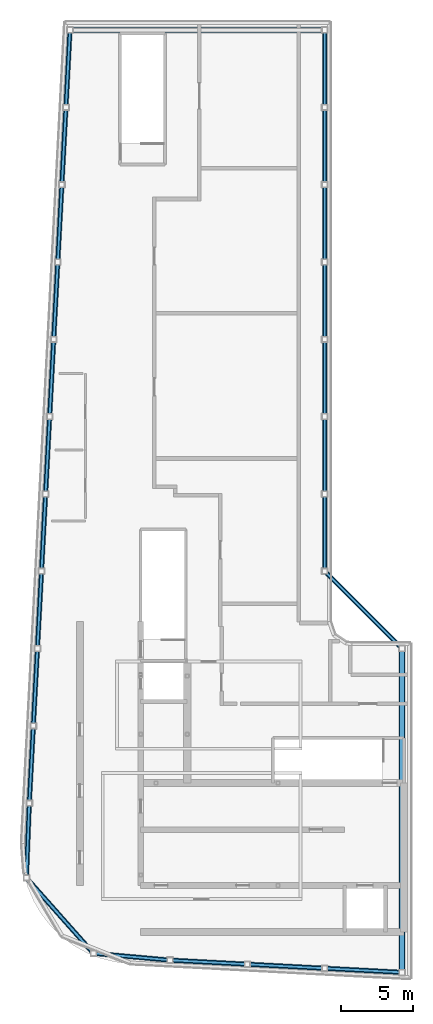
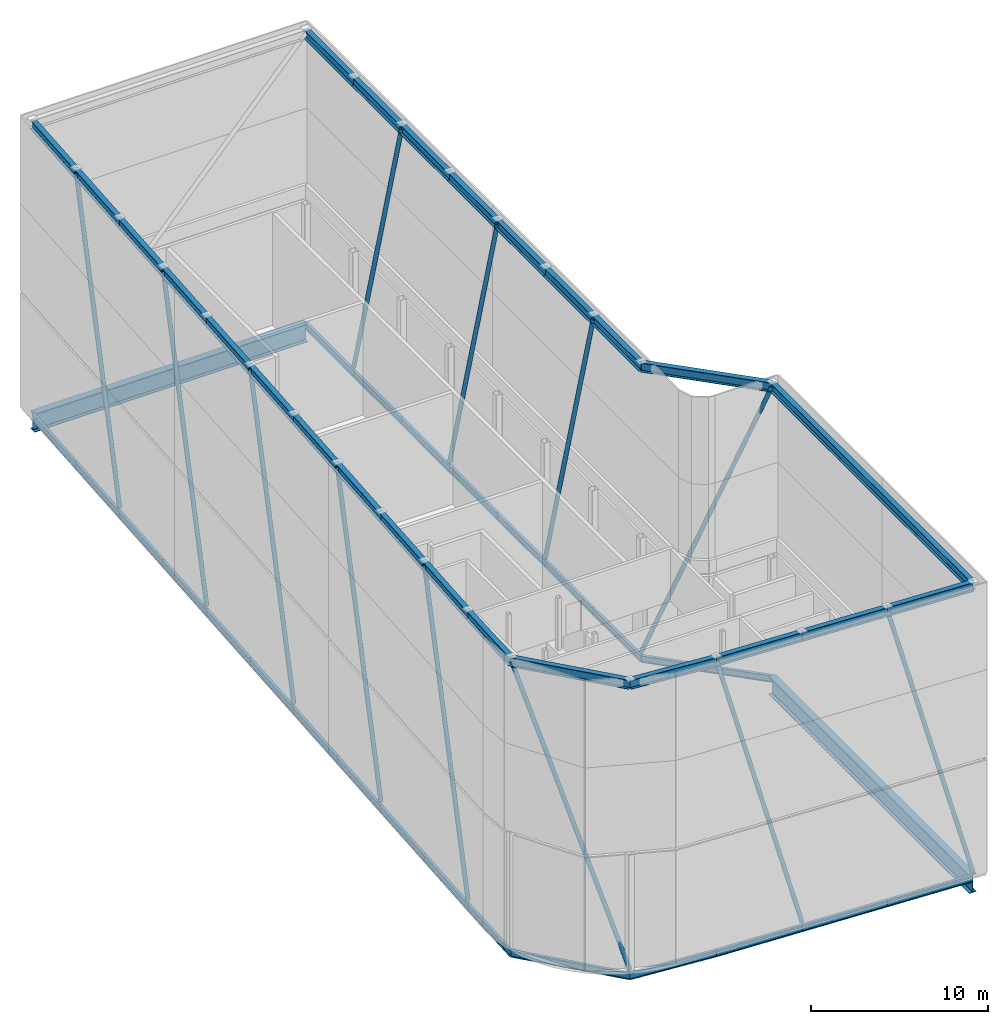
# One storey, part 3 of 7: 51 beams, 12 members.
"""IFC4 building model written with IfcOpenShell, lengths in metres."""

import ifcopenshell
import ifcopenshell.guid

model = None  # the IFC model being written
_history = None  # IfcOwnerHistory: only IFC2X3 demands one
_inside = {}  # id of a spatial element -> (the spatial element, [elements in it])
_under = {}  # id of a project, library or spatial element -> (it, [spatial elements below it])
_declared = {}  # id of a project -> (the project, [libraries it declares])
_typed = {}  # id of a type object -> (the type object, [elements of that type])
_made_of = {}  # id of a material, layer set ... -> (it, [elements and type objects made of it])


def new_model(schema):
    """Start an empty IFC model of exactly this schema.

    Asked for "IFC4X3", IfcOpenShell would pick the latest addendum, in which some entities
    have other attributes; the version numbers below select the first issue.
    IFC2X3 requires an IfcOwnerHistory on every rooted entity: one is made here for all.
    """
    global model, _history
    if schema == "IFC4X3":
        model = ifcopenshell.file(schema_version=(4, 3, 0, 0))
    else:
        model = ifcopenshell.file(schema=schema)
    _inside.clear()
    _under.clear()
    _declared.clear()
    _typed.clear()
    _made_of.clear()
    _history = None
    if model.schema == "IFC2X3":
        org = make("IfcOrganization", Name="unknown")
        user = make(
            "IfcPersonAndOrganization",
            ThePerson=make("IfcPerson", FamilyName="unknown"),
            TheOrganization=org,
        )
        app = make(
            "IfcApplication",
            ApplicationDeveloper=org,
            Version="unknown",
            ApplicationFullName="unknown",
            ApplicationIdentifier="unknown",
        )
        _history = make(
            "IfcOwnerHistory",
            OwningUser=user,
            OwningApplication=app,
            ChangeAction="ADDED",
            CreationDate=0,
        )
    return model


def make(cls, **values):
    """One entity of the class cls with the attributes given. An attribute that is None is left unset."""
    return model.create_entity(
        cls, **{name: value for name, value in values.items() if value is not None}
    )


def rooted(cls, **values):
    """An entity with a GlobalId (a new one), such as an element, a storey or a relation."""
    return make(cls, GlobalId=ifcopenshell.guid.new(), OwnerHistory=_history, **values)


def si_unit(unit_type, name, prefix=None):
    """IfcSIUnit, for example si_unit("LENGTHUNIT", "METRE", prefix="MILLI")."""
    return make("IfcSIUnit", UnitType=unit_type, Prefix=prefix, Name=name)


def assignment(units):
    """IfcUnitAssignment: the units of a project."""
    return None if units is None else make("IfcUnitAssignment", Units=units)


def point(xyz):
    """IfcCartesianPoint."""
    return None if xyz is None else make("IfcCartesianPoint", Coordinates=xyz)


def direction(xyz):
    """IfcDirection."""
    return None if xyz is None else make("IfcDirection", DirectionRatios=xyz)


def frame(location, z_axis=None, x_axis=None):
    """IfcAxis2Placement3D, a coordinate frame: its origin and axes. An axis left out is left unset."""
    return make(
        "IfcAxis2Placement3D",
        Location=point(location),
        Axis=direction(z_axis),
        RefDirection=direction(x_axis),
    )


def frame_2d(location, x_axis=None):
    """IfcAxis2Placement2D, a coordinate frame in the plane: its origin and x axis."""
    return make(
        "IfcAxis2Placement2D", Location=point(location), RefDirection=direction(x_axis)
    )


def origin():
    """The frame at (0, 0, 0) with its axes left unset."""
    return frame((0.0, 0.0, 0.0))


def origin_2d():
    """The frame at (0, 0) in the plane with its x axis left unset."""
    return frame_2d((0.0, 0.0))


def place(relative_to, where):
    """IfcLocalPlacement: puts the frame where relative to a parent placement (None: the world)."""
    return make(
        "IfcLocalPlacement", PlacementRelTo=relative_to, RelativePlacement=where
    )


def context(
    kind, dimensions, precision=None, world=None, true_north=None, identifier=None
):
    """IfcGeometricRepresentationContext, for example the 3D "Model" context."""
    return make(
        "IfcGeometricRepresentationContext",
        ContextIdentifier=identifier,
        ContextType=kind,
        CoordinateSpaceDimension=dimensions,
        Precision=precision,
        WorldCoordinateSystem=world,
        TrueNorth=true_north,
    )


def subcontext(parent, identifier, kind, view, scale=None):
    """IfcGeometricRepresentationSubContext, for example "Body" below "Model"."""
    return make(
        "IfcGeometricRepresentationSubContext",
        ContextIdentifier=identifier,
        ContextType=kind,
        ParentContext=parent,
        TargetScale=scale,
        TargetView=view,
    )


def project(units=None, contexts=None):
    """IfcProject with its units and contexts."""
    return rooted(
        "IfcProject",
        Name="project",
        RepresentationContexts=contexts,
        UnitsInContext=assignment(units),
    )


def spatial(cls, under=None, at=None, **own):
    """A site, building, storey or space (cls), placed at a placement, below another one or the project."""
    s = rooted(cls, ObjectPlacement=at, **own)
    if under is not None:
        _under.setdefault(under.id(), (under, []))[1].append(s)
    return s


def profile(cls, at=None, kind="AREA", **sizes):
    """A parametric profile (cls). Its sizes go by their IFC names, for example OverallWidth=200.0."""
    return make(cls, ProfileType=kind, Position=at, **sizes)


def hollow_circle(**sizes):
    """IfcCircleHollowProfileDef."""
    return profile("IfcCircleHollowProfileDef", **sizes)


def i_section(**sizes):
    """IfcIShapeProfileDef."""
    return profile("IfcIShapeProfileDef", **sizes)


def extrude(swept, where, along, depth):
    """IfcExtrudedAreaSolid: the profile swept, set in the frame where, extruded along a direction by depth."""
    return make(
        "IfcExtrudedAreaSolid",
        SweptArea=swept,
        Position=where,
        ExtrudedDirection=direction(along),
        Depth=depth,
    )


def shape(context_of_items, identifier, shape_type, items):
    """IfcShapeRepresentation: the items that make up one representation, for example the "Body"."""
    return make(
        "IfcShapeRepresentation",
        ContextOfItems=context_of_items,
        RepresentationIdentifier=identifier,
        RepresentationType=shape_type,
        Items=items,
    )


def material(Name=None, Category=None):
    """IfcMaterial."""
    return make("IfcMaterial", Name=Name, Category=Category)


def material_profile(
    of_material, cross_section, Name=None, Category=None, Priority=None
):
    """IfcMaterialProfile: a cross section and its material."""
    return make(
        "IfcMaterialProfile",
        Name=Name,
        Material=of_material,
        Profile=cross_section,
        Priority=Priority,
        Category=Category,
    )


def profile_set(profiles, Name=None, composite=None):
    """IfcMaterialProfileSet."""
    return make(
        "IfcMaterialProfileSet",
        Name=Name,
        MaterialProfiles=profiles,
        CompositeProfile=composite,
    )


def made_of(thing, what):
    """Note that an element or type object is made of a material, layer set ...; save() writes the relation."""
    if what is not None:
        _made_of.setdefault(what.id(), (what, []))[1].append(thing)
    return thing


def type_object(cls, material=None, **own):
    """A type object (cls), such as IfcWallType, which elements share."""
    return made_of(rooted(cls, **own), material)


def element(
    cls,
    number,
    at=None,
    inside=None,
    cuts=None,
    type_object=None,
    material=None,
    context=None,
    identifier="Body",
    shape_type=None,
    held_by="IfcProductDefinitionShape",
    body=None,
    shapes=None,
    **own,
):
    """One element of the class cls, such as IfcWall. Its Tag is "e" and its number.

    at: its placement. inside: the storey or other place that contains it. cuts: it is an
    opening in that element (IfcRelVoidsElement). A single representation is given by context,
    identifier, shape_type and body (its items); several are given by shapes. held_by: the class
    of the entity that holds the representations. save() writes the other relations.
    """
    e = rooted(cls, Tag="e%d" % number, ObjectPlacement=at, **own)
    if body is not None:
        shapes = [shape(context, identifier, shape_type, body)]
    if shapes is not None:
        e.Representation = make(held_by, Representations=shapes)
    if inside is not None:
        _inside.setdefault(inside.id(), (inside, []))[1].append(e)
    if cuts is not None:
        rooted(
            "IfcRelVoidsElement", RelatingBuildingElement=cuts, RelatedOpeningElement=e
        )
    if type_object is not None:
        _typed.setdefault(type_object.id(), (type_object, []))[1].append(e)
    return made_of(e, material)


def aggregate(whole, parts):
    """IfcRelAggregates: a whole, such as a stair, and the parts it consists of."""
    return rooted("IfcRelAggregates", RelatingObject=whole, RelatedObjects=parts)


def save(model, path):
    """Write the relations noted so far, then the file.

    IfcRelAggregates (storeys below a building ...), IfcRelContainedInSpatialStructure (elements
    in a storey), IfcRelDefinesByType, IfcRelAssociatesMaterial and IfcRelDeclares: one each for
    every whole, place, type object, material and project.
    """
    for whole, parts in _under.values():
        aggregate(whole, parts)
    for where, things in _inside.values():
        rooted(
            "IfcRelContainedInSpatialStructure",
            RelatedElements=things,
            RelatingStructure=where,
        )
    for kind, things in _typed.values():
        rooted("IfcRelDefinesByType", RelatedObjects=things, RelatingType=kind)
    for what, things in _made_of.values():
        rooted("IfcRelAssociatesMaterial", RelatedObjects=things, RelatingMaterial=what)
    for by, libraries in _declared.values():
        rooted("IfcRelDeclares", RelatingContext=by, RelatedDefinitions=libraries)
    model.write(path)


model = new_model("IFC4")

# Units and contexts
model_context = context("Model", 3, precision=1e-05, world=origin(), true_north=direction((0.0, 1.0)))
body_context = subcontext(model_context, "Body", "Model", "MODEL_VIEW")
ifc_project = project(units=[si_unit("LENGTHUNIT", "METRE"), si_unit("AREAUNIT", "SQUARE_METRE"), si_unit("VOLUMEUNIT", "CUBIC_METRE"), si_unit("PLANEANGLEUNIT", "RADIAN"), si_unit("MASSUNIT", "GRAM", prefix="KILO")], contexts=[model_context])

# Site, building, storey
site_placement = place(None, origin())
site = spatial("IfcSite", under=ifc_project, at=site_placement, CompositionType="ELEMENT")
building_placement = place(site_placement, origin())
building = spatial("IfcBuilding", under=site, at=building_placement, Name="Kheshtan School and Residences Tower", CompositionType="ELEMENT")
storey_placement = place(building_placement, frame((0.0, 0.0, 404.800048828125)))
storey = spatial("IfcBuildingStorey", under=building, at=storey_placement, Name="L94", CompositionType="ELEMENT", Elevation=404.800048828125)

# Beams
ifc_material_1 = material(Name="Steel ASTM A992 Grade 50", Category="steel")
ifc_material_profile_1 = material_profile(ifc_material_1, i_section(OverallWidth=0.3291015625, OverallDepth=0.635009765625, WebThickness=0.017822265625, FlangeThickness=0.031005859375, FilletRadius=0.01904296875, at=origin_2d()), Name="W610x241")
ifc_profile_set_1 = profile_set([ifc_material_profile_1], Name="Steel ASTM A992 Grade 50")
beam_type_1 = type_object("IfcBeamType", Name="Beam CF3 W610x241 ASTM A992 Grade 50", PredefinedType="BEAM", material=ifc_profile_set_1)
beam_1_placement = place(storey_placement, frame((53.0, 45.60009765625, 19.682373046875), z_axis=(0.0, -1.0, 0.0), x_axis=(1.0, 0.0, 0.0)))
element("IfcBeam", 1, at=beam_1_placement, inside=storey, type_object=beam_type_1, Name="Crown frame ring beam 1", PredefinedType="BEAM", context=body_context, shape_type="SweptSolid", body=[
    extrude(i_section(OverallWidth=0.3291015625, OverallDepth=0.635009765625, WebThickness=0.017822265625, FlangeThickness=0.031005859375, FilletRadius=0.01904296875, at=origin_2d()), origin(), (0.0, 0.0, 1.0), 22.6201171875),
])
beam_2_placement = place(storey_placement, frame((53.0, 22.97998046875, 19.682373046875), z_axis=(-0.998620447272, 0.05250906864, 0.0), x_axis=(-0.05250906864, -0.998620447272, 0.0)))
element("IfcBeam", 2, at=beam_2_placement, inside=storey, type_object=beam_type_1, Name="Crown frame ring beam 2", PredefinedType="BEAM", context=body_context, shape_type="SweptSolid", body=[
    extrude(i_section(OverallWidth=0.3291015625, OverallDepth=0.635009765625, WebThickness=0.017822265625, FlangeThickness=0.031005859375, FilletRadius=0.01904296875, at=origin_2d()), origin(), (0.0, 0.0, 1.0), 5.407470703125),
])
beam_3_placement = place(storey_placement, frame((47.60009765625, 23.263916015625, 19.682373046875), z_axis=(-0.998618203458, 0.052551724256, 0.0), x_axis=(-0.052551724256, -0.998618203458, 0.0)))
element("IfcBeam", 3, at=beam_3_placement, inside=storey, type_object=beam_type_1, Name="Crown frame ring beam 3", PredefinedType="BEAM", context=body_context, shape_type="SweptSolid", body=[
    extrude(i_section(OverallWidth=0.3291015625, OverallDepth=0.635009765625, WebThickness=0.017822265625, FlangeThickness=0.031005859375, FilletRadius=0.01904296875, at=origin_2d()), origin(), (0.0, 0.0, 1.0), 5.40771484375),
])
beam_4_placement = place(storey_placement, frame((42.199951171875, 23.548095703125, 19.682373046875), z_axis=(-0.998620447272, 0.05250906864, 0.0), x_axis=(-0.05250906864, -0.998620447272, 0.0)))
element("IfcBeam", 4, at=beam_4_placement, inside=storey, type_object=beam_type_1, Name="Crown frame ring beam 4", PredefinedType="BEAM", context=body_context, shape_type="SweptSolid", body=[
    extrude(i_section(OverallWidth=0.3291015625, OverallDepth=0.635009765625, WebThickness=0.017822265625, FlangeThickness=0.031005859375, FilletRadius=0.01904296875, at=origin_2d()), origin(), (0.0, 0.0, 1.0), 5.407470703125),
])
beam_5_placement = place(storey_placement, frame((36.800048828125, 23.83203125, 19.682373046875), z_axis=(-0.996036411806, 0.088946424077, 0.0), x_axis=(-0.088946424077, -0.996036411806, 0.0)))
element("IfcBeam", 5, at=beam_5_placement, inside=storey, type_object=beam_type_1, Name="Crown frame ring beam 5", PredefinedType="BEAM", context=body_context, shape_type="SweptSolid", body=[
    extrude(i_section(OverallWidth=0.3291015625, OverallDepth=0.635009765625, WebThickness=0.017822265625, FlangeThickness=0.031005859375, FilletRadius=0.01904296875, at=origin_2d()), origin(), (0.0, 0.0, 1.0), 5.374267578125),
])
beam_6_placement = place(storey_placement, frame((31.447021484375, 24.31005859375, 19.682373046875), z_axis=(-0.663867136248, 0.747850536812, 0.0), x_axis=(-0.747850536812, -0.663867136248, 0.0)))
element("IfcBeam", 6, at=beam_6_placement, inside=storey, type_object=beam_type_1, Name="Crown frame ring beam 6", PredefinedType="BEAM", context=body_context, shape_type="SweptSolid", body=[
    extrude(i_section(OverallWidth=0.3291015625, OverallDepth=0.635009765625, WebThickness=0.017822265625, FlangeThickness=0.031005859375, FilletRadius=0.01904296875, at=origin_2d()), origin(), (0.0, 0.0, 1.0), 7.049560546875),
])
beam_7_placement = place(storey_placement, frame((26.76708984375, 29.58203125, 19.682373046875), z_axis=(0.038664745323, 0.999252239161, 0.0), x_axis=(-0.999252239161, 0.038664745323, 0.0)))
element("IfcBeam", 7, at=beam_7_placement, inside=storey, type_object=beam_type_1, Name="Crown frame ring beam 7", PredefinedType="BEAM", context=body_context, shape_type="SweptSolid", body=[
    extrude(i_section(OverallWidth=0.3291015625, OverallDepth=0.635009765625, WebThickness=0.017822265625, FlangeThickness=0.031005859375, FilletRadius=0.01904296875, at=origin_2d()), origin(), (0.0, 0.0, 1.0), 5.221923828125),
])
beam_8_placement = place(storey_placement, frame((26.968994140625, 34.800048828125, 19.682373046875), z_axis=(0.05250906864, 0.998620447272, 0.0), x_axis=(-0.998620447272, 0.05250906864, 0.0)))
element("IfcBeam", 8, at=beam_8_placement, inside=storey, type_object=beam_type_1, Name="Crown frame ring beam 8", PredefinedType="BEAM", context=body_context, shape_type="SweptSolid", body=[
    extrude(i_section(OverallWidth=0.3291015625, OverallDepth=0.635009765625, WebThickness=0.017822265625, FlangeThickness=0.031005859375, FilletRadius=0.01904296875, at=origin_2d()), origin(), (0.0, 0.0, 1.0), 5.407470703125),
])
beam_9_placement = place(storey_placement, frame((27.2529296875, 40.199951171875, 19.682373046875), z_axis=(0.052551724256, 0.998618203458, 0.0), x_axis=(-0.998618203458, 0.052551724256, 0.0)))
element("IfcBeam", 9, at=beam_9_placement, inside=storey, type_object=beam_type_1, Name="Crown frame ring beam 9", PredefinedType="BEAM", context=body_context, shape_type="SweptSolid", body=[
    extrude(i_section(OverallWidth=0.3291015625, OverallDepth=0.635009765625, WebThickness=0.017822265625, FlangeThickness=0.031005859375, FilletRadius=0.01904296875, at=origin_2d()), origin(), (0.0, 0.0, 1.0), 5.40771484375),
])
for number, where, z_axis, x_axis, name in (
    (10, (27.537109375, 45.60009765625, 19.682373046875), (0.052689166816, 0.998610961136, 0.0), (-0.998610961136, 0.052689166816, 0.0), "Crown frame ring beam 10"),
    (11, (27.822021484375, 51.0, 19.682373046875), (0.05250906864, 0.998620447272, 0.0), (-0.998620447272, 0.05250906864, 0.0), "Crown frame ring beam 11"),
):
    element("IfcBeam", number, at=place(storey_placement, frame(where, z_axis=z_axis, x_axis=x_axis)), inside=storey, type_object=beam_type_1, Name=name, PredefinedType="BEAM", context=body_context, shape_type="SweptSolid", body=[
        extrude(i_section(OverallWidth=0.3291015625, OverallDepth=0.635009765625, WebThickness=0.017822265625, FlangeThickness=0.031005859375, FilletRadius=0.01904296875, at=origin_2d()), origin(), (0.0, 0.0, 1.0), 5.407470703125),
    ])
beam_10_placement = place(storey_placement, frame((28.10595703125, 56.39990234375, 19.682373046875), z_axis=(0.05250670125, 0.998620571751, 0.0), x_axis=(-0.998620571751, 0.05250670125, 0.0)))
element("IfcBeam", 12, at=beam_10_placement, inside=storey, type_object=beam_type_1, Name="Crown frame ring beam 12", PredefinedType="BEAM", context=body_context, shape_type="SweptSolid", body=[
    extrude(i_section(OverallWidth=0.3291015625, OverallDepth=0.635009765625, WebThickness=0.017822265625, FlangeThickness=0.031005859375, FilletRadius=0.01904296875, at=origin_2d()), origin(), (0.0, 0.0, 1.0), 5.40771484375),
])
beam_11_placement = place(storey_placement, frame((28.389892578125, 61.800048828125, 19.682373046875), z_axis=(0.052554093665, 0.998618078766, 0.0), x_axis=(-0.998618078766, 0.052554093665, 0.0)))
element("IfcBeam", 13, at=beam_11_placement, inside=storey, type_object=beam_type_1, Name="Crown frame ring beam 13", PredefinedType="BEAM", context=body_context, shape_type="SweptSolid", body=[
    extrude(i_section(OverallWidth=0.3291015625, OverallDepth=0.635009765625, WebThickness=0.017822265625, FlangeThickness=0.031005859375, FilletRadius=0.01904296875, at=origin_2d()), origin(), (0.0, 0.0, 1.0), 5.407470703125),
])
beam_12_placement = place(storey_placement, frame((28.674072265625, 67.199951171875, 19.682373046875), z_axis=(0.05250670125, 0.998620571751, 0.0), x_axis=(-0.998620571751, 0.05250670125, 0.0)))
element("IfcBeam", 14, at=beam_12_placement, inside=storey, type_object=beam_type_1, Name="Crown frame ring beam 14", PredefinedType="BEAM", context=body_context, shape_type="SweptSolid", body=[
    extrude(i_section(OverallWidth=0.3291015625, OverallDepth=0.635009765625, WebThickness=0.017822265625, FlangeThickness=0.031005859375, FilletRadius=0.01904296875, at=origin_2d()), origin(), (0.0, 0.0, 1.0), 5.40771484375),
])
for number, where, z_axis, x_axis, name in (
    (15, (28.9580078125, 72.60009765625, 19.682373046875), (0.052689166816, 0.998610961136, 0.0), (-0.998610961136, 0.052689166816, 0.0), "Crown frame ring beam 15"),
    (16, (29.242919921875, 78.0, 19.682373046875), (0.052554093665, 0.998618078766, 0.0), (-0.998618078766, 0.052554093665, 0.0), "Crown frame ring beam 16"),
):
    element("IfcBeam", number, at=place(storey_placement, frame(where, z_axis=z_axis, x_axis=x_axis)), inside=storey, type_object=beam_type_1, Name=name, PredefinedType="BEAM", context=body_context, shape_type="SweptSolid", body=[
        extrude(i_section(OverallWidth=0.3291015625, OverallDepth=0.635009765625, WebThickness=0.017822265625, FlangeThickness=0.031005859375, FilletRadius=0.01904296875, at=origin_2d()), origin(), (0.0, 0.0, 1.0), 5.407470703125),
    ])
beam_13_placement = place(storey_placement, frame((29.527099609375, 83.39990234375, 19.682373046875), z_axis=(0.05250670125, 0.998620571751, 0.0), x_axis=(-0.998620571751, 0.05250670125, 0.0)))
element("IfcBeam", 17, at=beam_13_placement, inside=storey, type_object=beam_type_1, Name="Crown frame ring beam 17", PredefinedType="BEAM", context=body_context, shape_type="SweptSolid", body=[
    extrude(i_section(OverallWidth=0.3291015625, OverallDepth=0.635009765625, WebThickness=0.017822265625, FlangeThickness=0.031005859375, FilletRadius=0.01904296875, at=origin_2d()), origin(), (0.0, 0.0, 1.0), 5.40771484375),
])
beam_14_placement = place(storey_placement, frame((47.60009765625, 88.800048828125, 19.682373046875), z_axis=(0.0, -1.0, 0.0), x_axis=(1.0, 0.0, 0.0)))
element("IfcBeam", 18, at=beam_14_placement, inside=storey, type_object=beam_type_1, Name="Crown frame ring beam 19", PredefinedType="BEAM", context=body_context, shape_type="SweptSolid", body=[
    extrude(i_section(OverallWidth=0.3291015625, OverallDepth=0.635009765625, WebThickness=0.017822265625, FlangeThickness=0.031005859375, FilletRadius=0.01904296875, at=origin_2d()), origin(), (0.0, 0.0, 1.0), 5.400146484375),
])
for number, where, z_axis, x_axis, name in (
    (19, (47.60009765625, 83.39990234375, 19.682373046875), (0.0, -1.0, 0.0), (1.0, 0.0, 0.0), "Crown frame ring beam 20"),
    (20, (47.60009765625, 78.0, 19.682373046875), (0.0, -1.0, 0.0), (1.0, 0.0, 0.0), "Crown frame ring beam 21"),
):
    element("IfcBeam", number, at=place(storey_placement, frame(where, z_axis=z_axis, x_axis=x_axis)), inside=storey, type_object=beam_type_1, Name=name, PredefinedType="BEAM", context=body_context, shape_type="SweptSolid", body=[
        extrude(i_section(OverallWidth=0.3291015625, OverallDepth=0.635009765625, WebThickness=0.017822265625, FlangeThickness=0.031005859375, FilletRadius=0.01904296875, at=origin_2d()), origin(), (0.0, 0.0, 1.0), 5.39990234375),
    ])
beam_15_placement = place(storey_placement, frame((47.60009765625, 72.60009765625, 19.682373046875), z_axis=(0.0, -1.0, 0.0), x_axis=(1.0, 0.0, 0.0)))
element("IfcBeam", 21, at=beam_15_placement, inside=storey, type_object=beam_type_1, Name="Crown frame ring beam 22", PredefinedType="BEAM", context=body_context, shape_type="SweptSolid", body=[
    extrude(i_section(OverallWidth=0.3291015625, OverallDepth=0.635009765625, WebThickness=0.017822265625, FlangeThickness=0.031005859375, FilletRadius=0.01904296875, at=origin_2d()), origin(), (0.0, 0.0, 1.0), 5.400146484375),
])
beam_16_placement = place(storey_placement, frame((47.60009765625, 67.199951171875, 19.682373046875), z_axis=(0.0, -1.0, 0.0), x_axis=(1.0, 0.0, 0.0)))
element("IfcBeam", 22, at=beam_16_placement, inside=storey, type_object=beam_type_1, Name="Crown frame ring beam 23", PredefinedType="BEAM", context=body_context, shape_type="SweptSolid", body=[
    extrude(i_section(OverallWidth=0.3291015625, OverallDepth=0.635009765625, WebThickness=0.017822265625, FlangeThickness=0.031005859375, FilletRadius=0.01904296875, at=origin_2d()), origin(), (0.0, 0.0, 1.0), 5.39990234375),
])
beam_17_placement = place(storey_placement, frame((47.60009765625, 61.800048828125, 19.682373046875), z_axis=(0.0, -1.0, 0.0), x_axis=(1.0, 0.0, 0.0)))
element("IfcBeam", 23, at=beam_17_placement, inside=storey, type_object=beam_type_1, Name="Crown frame ring beam 24", PredefinedType="BEAM", context=body_context, shape_type="SweptSolid", body=[
    extrude(i_section(OverallWidth=0.3291015625, OverallDepth=0.635009765625, WebThickness=0.017822265625, FlangeThickness=0.031005859375, FilletRadius=0.01904296875, at=origin_2d()), origin(), (0.0, 0.0, 1.0), 5.400146484375),
])
beam_18_placement = place(storey_placement, frame((47.60009765625, 56.39990234375, 19.682373046875), z_axis=(0.0, -1.0, 0.0), x_axis=(1.0, 0.0, 0.0)))
element("IfcBeam", 24, at=beam_18_placement, inside=storey, type_object=beam_type_1, Name="Crown frame ring beam 25", PredefinedType="BEAM", context=body_context, shape_type="SweptSolid", body=[
    extrude(i_section(OverallWidth=0.3291015625, OverallDepth=0.635009765625, WebThickness=0.017822265625, FlangeThickness=0.031005859375, FilletRadius=0.01904296875, at=origin_2d()), origin(), (0.0, 0.0, 1.0), 5.39990234375),
])
beam_19_placement = place(storey_placement, frame((47.60009765625, 51.0, 19.682373046875), z_axis=(0.707106781187, -0.707106781187, 0.0), x_axis=(0.707106781187, 0.707106781187, 0.0)))
element("IfcBeam", 25, at=beam_19_placement, inside=storey, type_object=beam_type_1, Name="Crown frame ring beam 26", PredefinedType="BEAM", context=body_context, shape_type="SweptSolid", body=[
    extrude(i_section(OverallWidth=0.3291015625, OverallDepth=0.635009765625, WebThickness=0.017822265625, FlangeThickness=0.031005859375, FilletRadius=0.01904296875, at=origin_2d()), origin(), (0.0, 0.0, 1.0), 7.63671875),
])
ifc_material_profile_2 = material_profile(ifc_material_1, i_section(OverallWidth=0.18994140625, OverallDepth=0.45703125, WebThickness=0.009033203125, FlangeThickness=0.014404296875, FilletRadius=0.01318359375, at=origin_2d()), Name="W460x74")
ifc_profile_set_2 = profile_set([ifc_material_profile_2], Name="Steel ASTM A992 Grade 50")
beam_type_2 = type_object("IfcBeamType", Name="Beam SP4 W460x74 ASTM A992 Grade 50", PredefinedType="BEAM", material=ifc_profile_set_2)
beam_20_placement = place(storey_placement, frame((53.0, 22.97998046875, -0.428466796875), z_axis=(-0.998620447272, 0.05250906864, 0.0), x_axis=(-0.05250906864, -0.998620447272, 0.0)))
element("IfcBeam", 26, at=beam_20_placement, inside=storey, type_object=beam_type_2, Name="Spandrel beam C019-C020", PredefinedType="BEAM", context=body_context, shape_type="SweptSolid", body=[
    extrude(i_section(OverallWidth=0.18994140625, OverallDepth=0.45703125, WebThickness=0.009033203125, FlangeThickness=0.014404296875, FilletRadius=0.01318359375, at=origin_2d()), origin(), (0.0, 0.0, 1.0), 5.407470703125),
])
beam_21_placement = place(storey_placement, frame((47.60009765625, 23.263916015625, -0.428466796875), z_axis=(-0.998618203458, 0.052551724256, 0.0), x_axis=(-0.052551724256, -0.998618203458, 0.0)))
element("IfcBeam", 27, at=beam_21_placement, inside=storey, type_object=beam_type_2, Name="Spandrel beam C020-C021", PredefinedType="BEAM", context=body_context, shape_type="SweptSolid", body=[
    extrude(i_section(OverallWidth=0.18994140625, OverallDepth=0.45703125, WebThickness=0.009033203125, FlangeThickness=0.014404296875, FilletRadius=0.01318359375, at=origin_2d()), origin(), (0.0, 0.0, 1.0), 5.40771484375),
])
beam_22_placement = place(storey_placement, frame((42.199951171875, 23.548095703125, -0.428466796875), z_axis=(-0.998620447272, 0.05250906864, 0.0), x_axis=(-0.05250906864, -0.998620447272, 0.0)))
element("IfcBeam", 28, at=beam_22_placement, inside=storey, type_object=beam_type_2, Name="Spandrel beam C021-C022", PredefinedType="BEAM", context=body_context, shape_type="SweptSolid", body=[
    extrude(i_section(OverallWidth=0.18994140625, OverallDepth=0.45703125, WebThickness=0.009033203125, FlangeThickness=0.014404296875, FilletRadius=0.01318359375, at=origin_2d()), origin(), (0.0, 0.0, 1.0), 5.407470703125),
])
beam_23_placement = place(storey_placement, frame((36.800048828125, 23.83203125, -0.428466796875), z_axis=(-0.996036411806, 0.088946424077, 0.0), x_axis=(-0.088946424077, -0.996036411806, 0.0)))
element("IfcBeam", 29, at=beam_23_placement, inside=storey, type_object=beam_type_2, Name="Spandrel beam C022-C034", PredefinedType="BEAM", context=body_context, shape_type="SweptSolid", body=[
    extrude(i_section(OverallWidth=0.18994140625, OverallDepth=0.45703125, WebThickness=0.009033203125, FlangeThickness=0.014404296875, FilletRadius=0.01318359375, at=origin_2d()), origin(), (0.0, 0.0, 1.0), 5.374267578125),
])
beam_24_placement = place(storey_placement, frame((31.447021484375, 24.31005859375, -0.428466796875), z_axis=(-0.663867136248, 0.747850536812, 0.0), x_axis=(-0.747850536812, -0.663867136248, 0.0)))
element("IfcBeam", 30, at=beam_24_placement, inside=storey, type_object=beam_type_2, Name="Spandrel beam C034-C048", PredefinedType="BEAM", context=body_context, shape_type="SweptSolid", body=[
    extrude(i_section(OverallWidth=0.18994140625, OverallDepth=0.45703125, WebThickness=0.009033203125, FlangeThickness=0.014404296875, FilletRadius=0.01318359375, at=origin_2d()), origin(), (0.0, 0.0, 1.0), 7.049560546875),
])
beam_25_placement = place(storey_placement, frame((26.76708984375, 29.58203125, -0.428466796875), z_axis=(0.038664745323, 0.999252239161, 0.0), x_axis=(-0.999252239161, 0.038664745323, 0.0)))
element("IfcBeam", 31, at=beam_25_placement, inside=storey, type_object=beam_type_2, Name="Spandrel beam C048-C052", PredefinedType="BEAM", context=body_context, shape_type="SweptSolid", body=[
    extrude(i_section(OverallWidth=0.18994140625, OverallDepth=0.45703125, WebThickness=0.009033203125, FlangeThickness=0.014404296875, FilletRadius=0.01318359375, at=origin_2d()), origin(), (0.0, 0.0, 1.0), 5.221923828125),
])
beam_26_placement = place(storey_placement, frame((26.968994140625, 34.800048828125, -0.428466796875), z_axis=(0.05250906864, 0.998620447272, 0.0), x_axis=(-0.998620447272, 0.05250906864, 0.0)))
element("IfcBeam", 32, at=beam_26_placement, inside=storey, type_object=beam_type_2, Name="Spandrel beam C052-C056", PredefinedType="BEAM", context=body_context, shape_type="SweptSolid", body=[
    extrude(i_section(OverallWidth=0.18994140625, OverallDepth=0.45703125, WebThickness=0.009033203125, FlangeThickness=0.014404296875, FilletRadius=0.01318359375, at=origin_2d()), origin(), (0.0, 0.0, 1.0), 5.407470703125),
])
beam_27_placement = place(storey_placement, frame((27.2529296875, 40.199951171875, -0.428466796875), z_axis=(0.052551724256, 0.998618203458, 0.0), x_axis=(-0.998618203458, 0.052551724256, 0.0)))
element("IfcBeam", 33, at=beam_27_placement, inside=storey, type_object=beam_type_2, Name="Spandrel beam C056-C059", PredefinedType="BEAM", context=body_context, shape_type="SweptSolid", body=[
    extrude(i_section(OverallWidth=0.18994140625, OverallDepth=0.45703125, WebThickness=0.009033203125, FlangeThickness=0.014404296875, FilletRadius=0.01318359375, at=origin_2d()), origin(), (0.0, 0.0, 1.0), 5.40771484375),
])
for number, where, z_axis, x_axis, name in (
    (34, (27.537109375, 45.60009765625, -0.428466796875), (0.052689166816, 0.998610961136, 0.0), (-0.998610961136, 0.052689166816, 0.0), "Spandrel beam C059-C078"),
    (35, (27.822021484375, 51.0, -0.428466796875), (0.05250906864, 0.998620447272, 0.0), (-0.998620447272, 0.05250906864, 0.0), "Spandrel beam C078-C080"),
):
    element("IfcBeam", number, at=place(storey_placement, frame(where, z_axis=z_axis, x_axis=x_axis)), inside=storey, type_object=beam_type_2, Name=name, PredefinedType="BEAM", context=body_context, shape_type="SweptSolid", body=[
        extrude(i_section(OverallWidth=0.18994140625, OverallDepth=0.45703125, WebThickness=0.009033203125, FlangeThickness=0.014404296875, FilletRadius=0.01318359375, at=origin_2d()), origin(), (0.0, 0.0, 1.0), 5.407470703125),
    ])
beam_28_placement = place(storey_placement, frame((28.10595703125, 56.39990234375, -0.428466796875), z_axis=(0.05250670125, 0.998620571751, 0.0), x_axis=(-0.998620571751, 0.05250670125, 0.0)))
element("IfcBeam", 36, at=beam_28_placement, inside=storey, type_object=beam_type_2, Name="Spandrel beam C080-C082", PredefinedType="BEAM", context=body_context, shape_type="SweptSolid", body=[
    extrude(i_section(OverallWidth=0.18994140625, OverallDepth=0.45703125, WebThickness=0.009033203125, FlangeThickness=0.014404296875, FilletRadius=0.01318359375, at=origin_2d()), origin(), (0.0, 0.0, 1.0), 5.40771484375),
])
beam_29_placement = place(storey_placement, frame((28.389892578125, 61.800048828125, -0.428466796875), z_axis=(0.052554093665, 0.998618078766, 0.0), x_axis=(-0.998618078766, 0.052554093665, 0.0)))
element("IfcBeam", 37, at=beam_29_placement, inside=storey, type_object=beam_type_2, Name="Spandrel beam C082-C084", PredefinedType="BEAM", context=body_context, shape_type="SweptSolid", body=[
    extrude(i_section(OverallWidth=0.18994140625, OverallDepth=0.45703125, WebThickness=0.009033203125, FlangeThickness=0.014404296875, FilletRadius=0.01318359375, at=origin_2d()), origin(), (0.0, 0.0, 1.0), 5.407470703125),
])
beam_30_placement = place(storey_placement, frame((28.674072265625, 67.199951171875, -0.428466796875), z_axis=(0.05250670125, 0.998620571751, 0.0), x_axis=(-0.998620571751, 0.05250670125, 0.0)))
element("IfcBeam", 38, at=beam_30_placement, inside=storey, type_object=beam_type_2, Name="Spandrel beam C084-C086", PredefinedType="BEAM", context=body_context, shape_type="SweptSolid", body=[
    extrude(i_section(OverallWidth=0.18994140625, OverallDepth=0.45703125, WebThickness=0.009033203125, FlangeThickness=0.014404296875, FilletRadius=0.01318359375, at=origin_2d()), origin(), (0.0, 0.0, 1.0), 5.40771484375),
])
for number, where, z_axis, x_axis, name in (
    (39, (28.9580078125, 72.60009765625, -0.428466796875), (0.052689166816, 0.998610961136, 0.0), (-0.998610961136, 0.052689166816, 0.0), "Spandrel beam C086-C088"),
    (40, (29.242919921875, 78.0, -0.428466796875), (0.052554093665, 0.998618078766, 0.0), (-0.998618078766, 0.052554093665, 0.0), "Spandrel beam C088-C090"),
):
    element("IfcBeam", number, at=place(storey_placement, frame(where, z_axis=z_axis, x_axis=x_axis)), inside=storey, type_object=beam_type_2, Name=name, PredefinedType="BEAM", context=body_context, shape_type="SweptSolid", body=[
        extrude(i_section(OverallWidth=0.18994140625, OverallDepth=0.45703125, WebThickness=0.009033203125, FlangeThickness=0.014404296875, FilletRadius=0.01318359375, at=origin_2d()), origin(), (0.0, 0.0, 1.0), 5.407470703125),
    ])
beam_31_placement = place(storey_placement, frame((29.527099609375, 83.39990234375, -0.428466796875), z_axis=(0.05250670125, 0.998620571751, 0.0), x_axis=(-0.998620571751, 0.05250670125, 0.0)))
element("IfcBeam", 41, at=beam_31_placement, inside=storey, type_object=beam_type_2, Name="Spandrel beam C090-C098", PredefinedType="BEAM", context=body_context, shape_type="SweptSolid", body=[
    extrude(i_section(OverallWidth=0.18994140625, OverallDepth=0.45703125, WebThickness=0.009033203125, FlangeThickness=0.014404296875, FilletRadius=0.01318359375, at=origin_2d()), origin(), (0.0, 0.0, 1.0), 5.40771484375),
])
beam_32_placement = place(storey_placement, frame((47.60009765625, 88.800048828125, -0.428466796875), z_axis=(0.0, -1.0, 0.0), x_axis=(1.0, 0.0, 0.0)))
element("IfcBeam", 42, at=beam_32_placement, inside=storey, type_object=beam_type_2, Name="Spandrel beam C099-C091", PredefinedType="BEAM", context=body_context, shape_type="SweptSolid", body=[
    extrude(i_section(OverallWidth=0.18994140625, OverallDepth=0.45703125, WebThickness=0.009033203125, FlangeThickness=0.014404296875, FilletRadius=0.01318359375, at=origin_2d()), origin(), (0.0, 0.0, 1.0), 5.400146484375),
])
for number, where, z_axis, x_axis, name in (
    (43, (47.60009765625, 83.39990234375, -0.428466796875), (0.0, -1.0, 0.0), (1.0, 0.0, 0.0), "Spandrel beam C091-C089"),
    (44, (47.60009765625, 78.0, -0.428466796875), (0.0, -1.0, 0.0), (1.0, 0.0, 0.0), "Spandrel beam C089-C087"),
):
    element("IfcBeam", number, at=place(storey_placement, frame(where, z_axis=z_axis, x_axis=x_axis)), inside=storey, type_object=beam_type_2, Name=name, PredefinedType="BEAM", context=body_context, shape_type="SweptSolid", body=[
        extrude(i_section(OverallWidth=0.18994140625, OverallDepth=0.45703125, WebThickness=0.009033203125, FlangeThickness=0.014404296875, FilletRadius=0.01318359375, at=origin_2d()), origin(), (0.0, 0.0, 1.0), 5.39990234375),
    ])
beam_33_placement = place(storey_placement, frame((47.60009765625, 72.60009765625, -0.428466796875), z_axis=(0.0, -1.0, 0.0), x_axis=(1.0, 0.0, 0.0)))
element("IfcBeam", 45, at=beam_33_placement, inside=storey, type_object=beam_type_2, Name="Spandrel beam C087-C085", PredefinedType="BEAM", context=body_context, shape_type="SweptSolid", body=[
    extrude(i_section(OverallWidth=0.18994140625, OverallDepth=0.45703125, WebThickness=0.009033203125, FlangeThickness=0.014404296875, FilletRadius=0.01318359375, at=origin_2d()), origin(), (0.0, 0.0, 1.0), 5.400146484375),
])
beam_34_placement = place(storey_placement, frame((47.60009765625, 67.199951171875, -0.428466796875), z_axis=(0.0, -1.0, 0.0), x_axis=(1.0, 0.0, 0.0)))
element("IfcBeam", 46, at=beam_34_placement, inside=storey, type_object=beam_type_2, Name="Spandrel beam C085-C083", PredefinedType="BEAM", context=body_context, shape_type="SweptSolid", body=[
    extrude(i_section(OverallWidth=0.18994140625, OverallDepth=0.45703125, WebThickness=0.009033203125, FlangeThickness=0.014404296875, FilletRadius=0.01318359375, at=origin_2d()), origin(), (0.0, 0.0, 1.0), 5.39990234375),
])
beam_35_placement = place(storey_placement, frame((47.60009765625, 61.800048828125, -0.428466796875), z_axis=(0.0, -1.0, 0.0), x_axis=(1.0, 0.0, 0.0)))
element("IfcBeam", 47, at=beam_35_placement, inside=storey, type_object=beam_type_2, Name="Spandrel beam C083-C081", PredefinedType="BEAM", context=body_context, shape_type="SweptSolid", body=[
    extrude(i_section(OverallWidth=0.18994140625, OverallDepth=0.45703125, WebThickness=0.009033203125, FlangeThickness=0.014404296875, FilletRadius=0.01318359375, at=origin_2d()), origin(), (0.0, 0.0, 1.0), 5.400146484375),
])
beam_36_placement = place(storey_placement, frame((47.60009765625, 56.39990234375, -0.428466796875), z_axis=(0.0, -1.0, 0.0), x_axis=(1.0, 0.0, 0.0)))
element("IfcBeam", 48, at=beam_36_placement, inside=storey, type_object=beam_type_2, Name="Spandrel beam C081-C079", PredefinedType="BEAM", context=body_context, shape_type="SweptSolid", body=[
    extrude(i_section(OverallWidth=0.18994140625, OverallDepth=0.45703125, WebThickness=0.009033203125, FlangeThickness=0.014404296875, FilletRadius=0.01318359375, at=origin_2d()), origin(), (0.0, 0.0, 1.0), 5.39990234375),
])
beam_37_placement = place(storey_placement, frame((47.60009765625, 51.0, -0.428466796875), z_axis=(0.707106781187, -0.707106781187, 0.0), x_axis=(0.707106781187, 0.707106781187, 0.0)))
element("IfcBeam", 49, at=beam_37_placement, inside=storey, type_object=beam_type_2, Name="Spandrel beam C079-C061", PredefinedType="BEAM", context=body_context, shape_type="SweptSolid", body=[
    extrude(i_section(OverallWidth=0.18994140625, OverallDepth=0.45703125, WebThickness=0.009033203125, FlangeThickness=0.014404296875, FilletRadius=0.01318359375, at=origin_2d()), origin(), (0.0, 0.0, 1.0), 7.63671875),
])

# Members
ifc_material_2 = material(Name="Steel ASTM A500 Grade C", Category="steel")
ifc_material_profile_3 = material_profile(ifc_material_2, hollow_circle(Radius=0.136474609375, WallThickness=0.0126953125, at=origin_2d()), Name="HSS 273x12.7")
ifc_profile_set_3 = profile_set([ifc_material_profile_3], Name="Steel ASTM A500 Grade C")
member_type = type_object("IfcMemberType", Name="Member CF2 HSS 273x12.7 ASTM A500 Grade C", PredefinedType="BRACE", material=ifc_profile_set_3)
for number, where, z_axis, x_axis, name in (
    (50, (53.0, 22.97998046875, 0.0), (-0.264550042586, 0.013910466567, 0.964271628685), (-0.05250906864, -0.998620447272, 0.0), "Crown frame brace 2"),
    (51, (42.199951171875, 23.548095703125, 0.0), (-0.264550042586, 0.013910466567, 0.964271628685), (-0.05250906864, -0.998620447272, 0.0), "Crown frame brace 4"),
):
    element("IfcMember", number, at=place(storey_placement, frame(where, z_axis=z_axis, x_axis=x_axis)), inside=storey, type_object=member_type, Name=name, PredefinedType="BRACE", context=body_context, shape_type="SweptSolid", body=[
        extrude(hollow_circle(Radius=0.136474609375, WallThickness=0.0126953125, at=origin_2d()), origin(), (0.0, 0.0, 1.0), 20.41162109375),
    ])
member_1_placement = place(storey_placement, frame((31.447021484375, 24.31005859375, 0.0), z_axis=(-0.223848117211, 0.252166322868, 0.94143728736), x_axis=(-0.747850536812, -0.663867136248, 0.0)))
element("IfcMember", 52, at=member_1_placement, inside=storey, type_object=member_type, Name="Crown frame brace 6", PredefinedType="BRACE", context=body_context, shape_type="SweptSolid", body=[
    extrude(hollow_circle(Radius=0.136474609375, WallThickness=0.0126953125, at=origin_2d()), origin(), (0.0, 0.0, 1.0), 20.90673828125),
])
for number, where, z_axis, x_axis, name in (
    (53, (26.968994140625, 34.800048828125, 0.0), (0.013910466567, 0.264550042586, 0.964271628685), (-0.998620447272, 0.05250906864, 0.0), "Crown frame brace 8"),
    (54, (27.537109375, 45.60009765625, 0.0), (0.013958300655, 0.264549866219, 0.964270985837), (-0.998610961136, 0.052689166816, 0.0), "Crown frame brace 10"),
    (55, (28.10595703125, 56.39990234375, 0.0), (0.01391042255, 0.264561166281, 0.964268577441), (-0.998620571751, 0.05250670125, 0.0), "Crown frame brace 12"),
    (56, (28.674072265625, 67.199951171875, 0.0), (0.01391042255, 0.264561166281, 0.964268577441), (-0.998620571751, 0.05250670125, 0.0), "Crown frame brace 14"),
    (57, (29.242919921875, 78.0, 0.0), (0.013922425098, 0.264549998551, 0.96427146818), (-0.998618078766, 0.052554093665, 0.0), "Crown frame brace 16"),
):
    element("IfcMember", number, at=place(storey_placement, frame(where, z_axis=z_axis, x_axis=x_axis)), inside=storey, type_object=member_type, Name=name, PredefinedType="BRACE", context=body_context, shape_type="SweptSolid", body=[
        extrude(hollow_circle(Radius=0.136474609375, WallThickness=0.0126953125, at=origin_2d()), origin(), (0.0, 0.0, 1.0), 20.41162109375),
    ])
for number, where, z_axis, x_axis, name in (
    (58, (47.60009765625, 83.39990234375, 0.0), (0.0, -0.264575641661, 0.964364936028), (1.0, 0.0, 0.0), "Crown frame brace 20"),
    (59, (47.60009765625, 72.60009765625, 0.0), (0.0, -0.26458676627, 0.964361883898), (1.0, 0.0, 0.0), "Crown frame brace 22"),
    (60, (47.60009765625, 61.800048828125, 0.0), (0.0, -0.26458676627, 0.964361883898), (1.0, 0.0, 0.0), "Crown frame brace 24"),
):
    element("IfcMember", number, at=place(storey_placement, frame(where, z_axis=z_axis, x_axis=x_axis)), inside=storey, type_object=member_type, Name=name, PredefinedType="BRACE", context=body_context, shape_type="SweptSolid", body=[
        extrude(hollow_circle(Radius=0.136474609375, WallThickness=0.0126953125, at=origin_2d()), origin(), (0.0, 0.0, 1.0), 20.40966796875),
    ])
member_2_placement = place(storey_placement, frame((47.60009765625, 51.0, 0.0), z_axis=(0.255774894616, -0.255774894616, 0.932286654719), x_axis=(0.707106781187, 0.707106781187, 0.0)))
element("IfcMember", 61, at=member_2_placement, inside=storey, type_object=member_type, Name="Crown frame brace 26", PredefinedType="BRACE", context=body_context, shape_type="SweptSolid", body=[
    extrude(hollow_circle(Radius=0.136474609375, WallThickness=0.0126953125, at=origin_2d()), origin(), (0.0, 0.0, 1.0), 21.11181640625),
])

# Beams
ifc_material_profile_4 = material_profile(ifc_material_1, i_section(OverallWidth=0.449951171875, OverallDepth=1.25, WebThickness=0.02490234375, FlangeThickness=0.044921875, FilletRadius=0.03759765625, at=origin_2d()), Name="WWF1250x546")
ifc_profile_set_4 = profile_set([ifc_material_profile_4], Name="Steel ASTM A992 Grade 50")
beam_type_3 = type_object("IfcBeamType", Name="Transfer girder TG4 WWF1250x546 ASTM A992 Grade 50", PredefinedType="BEAM", material=ifc_profile_set_4)
beam_38_placement = place(storey_placement, frame((53.0, 45.60009765625, -0.824951171875), z_axis=(0.0, -1.0, 0.0), x_axis=(1.0, 0.0, 0.0)))
element("IfcBeam", 62, at=beam_38_placement, inside=storey, type_object=beam_type_3, Name="Transfer girder C061-C019", PredefinedType="BEAM", context=body_context, shape_type="SweptSolid", body=[
    extrude(i_section(OverallWidth=0.449951171875, OverallDepth=1.25, WebThickness=0.02490234375, FlangeThickness=0.044921875, FilletRadius=0.03759765625, at=origin_2d()), origin(), (0.0, 0.0, 1.0), 22.6201171875),
])
beam_39_placement = place(storey_placement, frame((29.81103515625, 88.800048828125, -0.824951171875), z_axis=(1.0, 0.0, 0.0), x_axis=(0.0, 1.0, 0.0)))
element("IfcBeam", 63, at=beam_39_placement, inside=storey, type_object=beam_type_3, Name="Transfer girder C098-C099", PredefinedType="BEAM", context=body_context, shape_type="SweptSolid", body=[
    extrude(i_section(OverallWidth=0.449951171875, OverallDepth=1.25, WebThickness=0.02490234375, FlangeThickness=0.044921875, FilletRadius=0.03759765625, at=origin_2d()), origin(), (0.0, 0.0, 1.0), 17.7890625),
])

save(model, "model.ifc")
